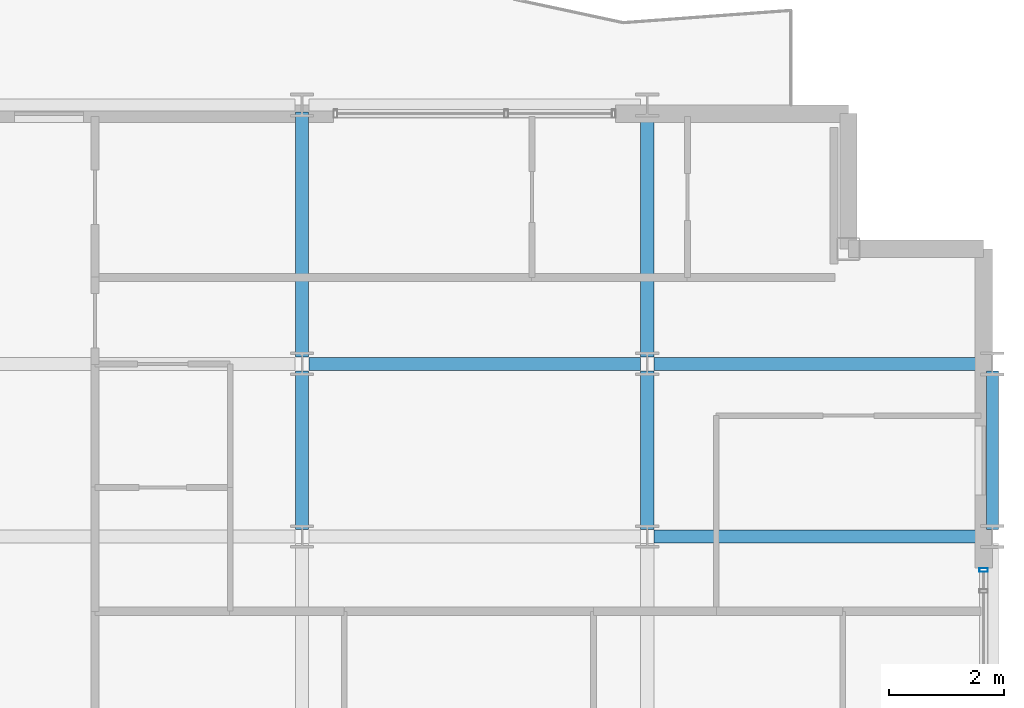
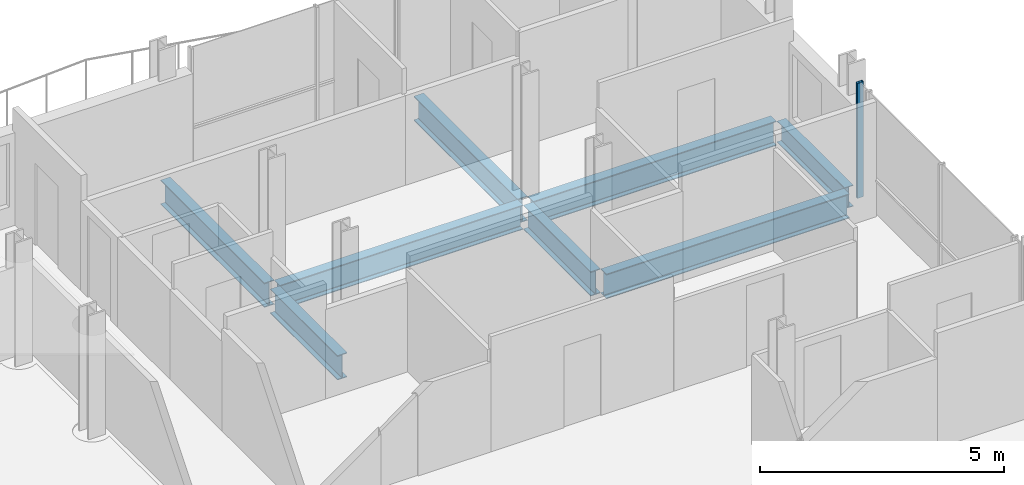
# One storey, part 22 of 41: 8 beams, 1 member, 1 element without a shape of its own.
"""IFC4 building model written with IfcOpenShell, lengths in metres."""

from ifc_helpers import new_model, si_unit, direction, frame, origin, origin_2d, place, context, subcontext, project, spatial, hollow_rectangle, i_section, extrude, material, layer, layer_set, material_profile, profile_set, type_object, element, aggregate, save


model = new_model("IFC4")

# Units and contexts
model_context = context("Model", 3, precision=1e-05, world=origin(), true_north=direction((0.0, 1.0)))
body_context = subcontext(model_context, "Body", "Model", "MODEL_VIEW")
ifc_project = project(units=[si_unit("LENGTHUNIT", "METRE"), si_unit("AREAUNIT", "SQUARE_METRE"), si_unit("VOLUMEUNIT", "CUBIC_METRE"), si_unit("PLANEANGLEUNIT", "RADIAN"), si_unit("MASSUNIT", "GRAM", prefix="KILO")], contexts=[model_context])

# Site, building, storey
site_placement = place(None, origin())
site = spatial("IfcSite", under=ifc_project, at=site_placement, CompositionType="ELEMENT")
building_placement = place(site_placement, origin())
building = spatial("IfcBuilding", under=site, at=building_placement, Name="Brevholm Reach", CompositionType="ELEMENT")
storey_placement = place(building_placement, frame((0.0, 0.0, 163.5)))
storey = spatial("IfcBuildingStorey", under=building, at=storey_placement, Name="L49", CompositionType="ELEMENT", Elevation=163.5)

# Beams
ifc_material_1 = material(Name="Structural Steel S355J2", Category="steel")
ifc_material_profile_1 = material_profile(ifc_material_1, i_section(OverallWidth=0.209228515625, OverallDepth=0.533203125, WebThickness=0.010009765625, FlangeThickness=0.015625, FilletRadius=0.0126953125, at=origin_2d()), Name="UKB 533x210x92")
ifc_profile_set_1 = profile_set([ifc_material_profile_1], Name="Structural Steel S355J2")
beam_type_1 = type_object("IfcBeamType", Name="BM-SP533", PredefinedType="SPANDREL", material=ifc_profile_set_1)
beam_1_placement = place(storey_placement, frame((60.0, 23.6201171875, -0.486572265625), z_axis=(0.0, 1.0, 0.0), x_axis=(-1.0, 0.0, 0.0)))
element("IfcBeam", 1, at=beam_1_placement, inside=storey, type_object=beam_type_1, Name="L49 SP-02 Framing Beam", PredefinedType="SPANDREL", context=body_context, shape_type="SweptSolid", body=[
    extrude(i_section(OverallWidth=0.209228515625, OverallDepth=0.533203125, WebThickness=0.010009765625, FlangeThickness=0.015625, FilletRadius=0.0126953125, at=origin_2d()), origin(), (0.0, 0.0, 1.0), 2.759765625),
])
ifc_material_2 = material(Name="Structural Steel S355J2", Category="steel")
ifc_material_profile_2 = material_profile(ifc_material_2, i_section(OverallWidth=0.22900390625, OverallDepth=0.6123046875, WebThickness=0.011962890625, FlangeThickness=0.01953125, FilletRadius=0.0126953125, at=origin_2d()), Name="UKB 610x229x125")
ifc_profile_set_2 = profile_set([ifc_material_profile_2], Name="Structural Steel S355J2")
beam_type_2 = type_object("IfcBeamType", Name="BM-SP610", PredefinedType="SPANDREL", material=ifc_profile_set_2)
for number, where, z_axis, x_axis, name in (
    (2, (54.1201171875, 23.5, -0.526123046875), (1.0, 0.0, 0.0), (0.0, 1.0, 0.0), "L49 SP-01 Framing Beam"),
    (3, (48.1201171875, 26.5, -0.526123046875), (1.0, 0.0, 0.0), (0.0, 1.0, 0.0), "L49 SP-01 Framing Beam"),
    (4, (54.1201171875, 26.5, -0.526123046875), (1.0, 0.0, 0.0), (0.0, 1.0, 0.0), "L49 SP-01 Framing Beam"),
):
    element("IfcBeam", number, at=place(storey_placement, frame(where, z_axis=z_axis, x_axis=x_axis)), inside=storey, type_object=beam_type_2, Name=name, PredefinedType="SPANDREL", context=body_context, shape_type="SweptSolid", body=[
        extrude(i_section(OverallWidth=0.22900390625, OverallDepth=0.6123046875, WebThickness=0.011962890625, FlangeThickness=0.01953125, FilletRadius=0.0126953125, at=origin_2d()), origin(), (0.0, 0.0, 1.0), 5.759765625),
    ])
beam_2_placement = place(storey_placement, frame((48.0, 23.6201171875, -0.526123046875), z_axis=(0.0, 1.0, 0.0), x_axis=(-1.0, 0.0, 0.0)))
element("IfcBeam", 5, at=beam_2_placement, inside=storey, type_object=beam_type_2, Name="L49 SP-01 Framing Beam", PredefinedType="SPANDREL", context=body_context, shape_type="SweptSolid", body=[
    extrude(i_section(OverallWidth=0.22900390625, OverallDepth=0.6123046875, WebThickness=0.011962890625, FlangeThickness=0.01953125, FilletRadius=0.0126953125, at=origin_2d()), origin(), (0.0, 0.0, 1.0), 2.759765625),
])
beam_3_placement = place(storey_placement, frame((48.0, 26.6201171875, -0.526123046875), z_axis=(0.0, 1.0, 0.0), x_axis=(-1.0, 0.0, 0.0)))
element("IfcBeam", 6, at=beam_3_placement, inside=storey, type_object=beam_type_2, Name="L49 SP-01 Framing Beam", PredefinedType="SPANDREL", context=body_context, shape_type="SweptSolid", body=[
    extrude(i_section(OverallWidth=0.22900390625, OverallDepth=0.6123046875, WebThickness=0.011962890625, FlangeThickness=0.01953125, FilletRadius=0.0126953125, at=origin_2d()), origin(), (0.0, 0.0, 1.0), 4.259765625),
])
beam_4_placement = place(storey_placement, frame((54.0, 23.6201171875, -0.526123046875), z_axis=(0.0, 1.0, 0.0), x_axis=(-1.0, 0.0, 0.0)))
element("IfcBeam", 7, at=beam_4_placement, inside=storey, type_object=beam_type_2, Name="L49 SP-01 Framing Beam", PredefinedType="SPANDREL", context=body_context, shape_type="SweptSolid", body=[
    extrude(i_section(OverallWidth=0.22900390625, OverallDepth=0.6123046875, WebThickness=0.011962890625, FlangeThickness=0.01953125, FilletRadius=0.0126953125, at=origin_2d()), origin(), (0.0, 0.0, 1.0), 2.759765625),
])
beam_5_placement = place(storey_placement, frame((54.0, 26.6201171875, -0.526123046875), z_axis=(0.0, 1.0, 0.0), x_axis=(-1.0, 0.0, 0.0)))
element("IfcBeam", 8, at=beam_5_placement, inside=storey, type_object=beam_type_2, Name="L49 SP-01 Framing Beam", PredefinedType="SPANDREL", context=body_context, shape_type="SweptSolid", body=[
    extrude(i_section(OverallWidth=0.22900390625, OverallDepth=0.6123046875, WebThickness=0.011962890625, FlangeThickness=0.01953125, FilletRadius=0.0126953125, at=origin_2d()), origin(), (0.0, 0.0, 1.0), 4.259765625),
])

# Curtain wall, member
ifc_material_3 = material(Name="Dark Anodised Aluminium 6063-T6 and Solar-Control Glass", Category="aluminium")
ifc_layer = layer(ifc_material_3, 0.14990234375)
ifc_layer_set = layer_set([ifc_layer], Name="Dark Anodised Aluminium 6063-T6 and Solar-Control Glass")
curtain_wall_type = type_object("IfcCurtainWallType", Name="CW-01", PredefinedType="NOTDEFINED", material=ifc_layer_set)
curtain_wall_placement = place(storey_placement, origin())
curtain_wall = element("IfcCurtainWall", 9, at=curtain_wall_placement, inside=storey, type_object=curtain_wall_type, Name="L49 Curtain Wall CW-01", PredefinedType="NOTDEFINED")
ifc_material_4 = material(Name="Dark Anodised Aluminium 6063-T6", Category="aluminium")
ifc_material_profile_3 = material_profile(ifc_material_4, hollow_rectangle(XDim=0.06494140625, YDim=0.14990234375, WallThickness=0.0048828125, InnerFilletRadius=0.0048828125, OuterFilletRadius=0.010009765625, at=origin_2d()), Name="RHS 150x65x5")
ifc_profile_set_3 = profile_set([ifc_material_profile_3], Name="Dark Anodised Aluminium 6063-T6")
member_type = type_object("IfcMemberType", Name="CWM-150", PredefinedType="MULLION", material=ifc_profile_set_3)
member_placement = place(storey_placement, frame((59.85009765625, 22.91748046875, 0.0), z_axis=(0.0, 0.0, 1.0), x_axis=(0.0, 1.0, 0.0)))
member = element("IfcMember", 10, at=member_placement, type_object=member_type, Name="CM-150 Mullion 6", PredefinedType="MULLION", context=body_context, shape_type="SweptSolid", body=[
    extrude(hollow_rectangle(XDim=0.06494140625, YDim=0.14990234375, WallThickness=0.0048828125, InnerFilletRadius=0.0048828125, OuterFilletRadius=0.010009765625, at=origin_2d()), origin(), (0.0, 0.0, 1.0), 2.8798828125),
])
aggregate(curtain_wall, [member])

save(model, "model.ifc")
